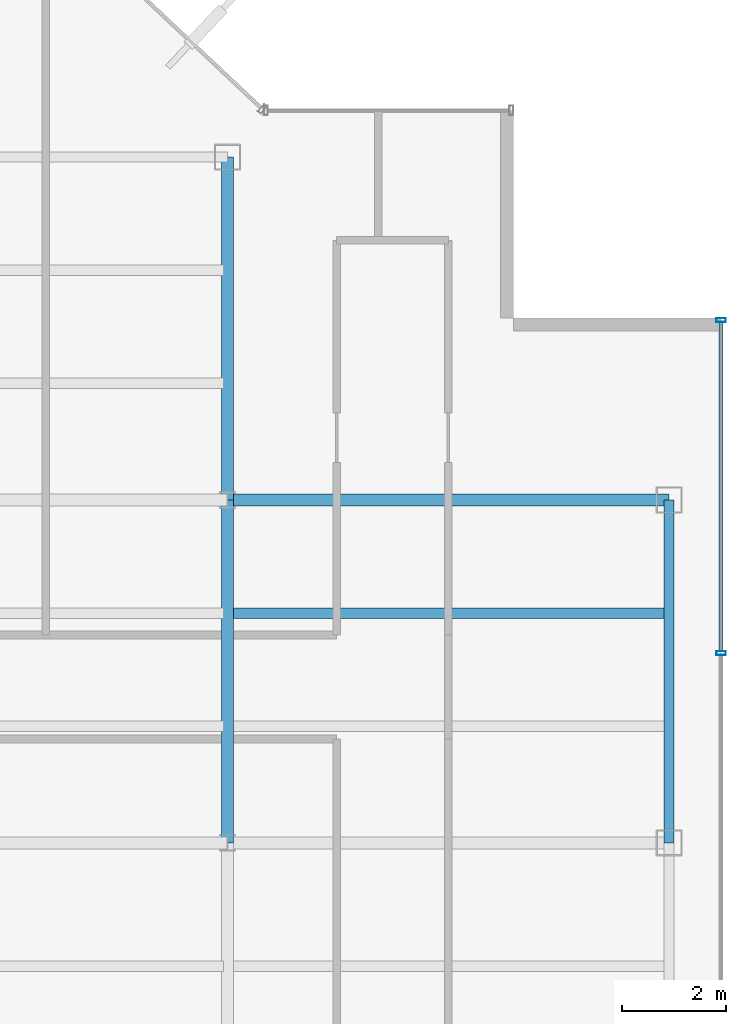
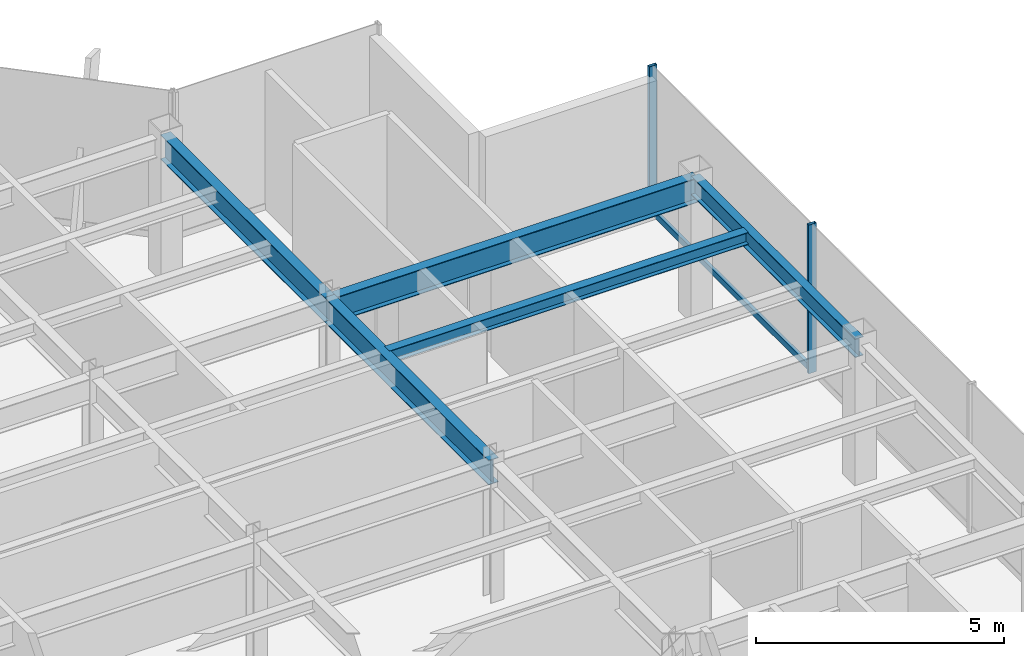
# One storey, part 11 of 22: 5 beams, 3 members, 1 element without a shape of its own.
"""IFC4 building model written with IfcOpenShell, lengths in metres."""

import ifcopenshell
import ifcopenshell.guid

model = None  # the IFC model being written
_history = None  # IfcOwnerHistory: only IFC2X3 demands one
_inside = {}  # id of a spatial element -> (the spatial element, [elements in it])
_under = {}  # id of a project, library or spatial element -> (it, [spatial elements below it])
_declared = {}  # id of a project -> (the project, [libraries it declares])
_typed = {}  # id of a type object -> (the type object, [elements of that type])
_made_of = {}  # id of a material, layer set ... -> (it, [elements and type objects made of it])


def new_model(schema):
    """Start an empty IFC model of exactly this schema.

    Asked for "IFC4X3", IfcOpenShell would pick the latest addendum, in which some entities
    have other attributes; the version numbers below select the first issue.
    IFC2X3 requires an IfcOwnerHistory on every rooted entity: one is made here for all.
    """
    global model, _history
    if schema == "IFC4X3":
        model = ifcopenshell.file(schema_version=(4, 3, 0, 0))
    else:
        model = ifcopenshell.file(schema=schema)
    _inside.clear()
    _under.clear()
    _declared.clear()
    _typed.clear()
    _made_of.clear()
    _history = None
    if model.schema == "IFC2X3":
        org = make("IfcOrganization", Name="unknown")
        user = make(
            "IfcPersonAndOrganization",
            ThePerson=make("IfcPerson", FamilyName="unknown"),
            TheOrganization=org,
        )
        app = make(
            "IfcApplication",
            ApplicationDeveloper=org,
            Version="unknown",
            ApplicationFullName="unknown",
            ApplicationIdentifier="unknown",
        )
        _history = make(
            "IfcOwnerHistory",
            OwningUser=user,
            OwningApplication=app,
            ChangeAction="ADDED",
            CreationDate=0,
        )
    return model


def make(cls, **values):
    """One entity of the class cls with the attributes given. An attribute that is None is left unset."""
    return model.create_entity(
        cls, **{name: value for name, value in values.items() if value is not None}
    )


def rooted(cls, **values):
    """An entity with a GlobalId (a new one), such as an element, a storey or a relation."""
    return make(cls, GlobalId=ifcopenshell.guid.new(), OwnerHistory=_history, **values)


def si_unit(unit_type, name, prefix=None):
    """IfcSIUnit, for example si_unit("LENGTHUNIT", "METRE", prefix="MILLI")."""
    return make("IfcSIUnit", UnitType=unit_type, Prefix=prefix, Name=name)


def derived_unit(unit_type, elements):
    """IfcDerivedUnit: a product of units, each with its exponent."""
    return make(
        "IfcDerivedUnit",
        Elements=[
            make("IfcDerivedUnitElement", Unit=unit, Exponent=power)
            for unit, power in elements
        ],
        UnitType=unit_type,
    )


def assignment(units):
    """IfcUnitAssignment: the units of a project."""
    return None if units is None else make("IfcUnitAssignment", Units=units)


def point(xyz):
    """IfcCartesianPoint."""
    return None if xyz is None else make("IfcCartesianPoint", Coordinates=xyz)


def direction(xyz):
    """IfcDirection."""
    return None if xyz is None else make("IfcDirection", DirectionRatios=xyz)


def frame(location, z_axis=None, x_axis=None):
    """IfcAxis2Placement3D, a coordinate frame: its origin and axes. An axis left out is left unset."""
    return make(
        "IfcAxis2Placement3D",
        Location=point(location),
        Axis=direction(z_axis),
        RefDirection=direction(x_axis),
    )


def frame_2d(location, x_axis=None):
    """IfcAxis2Placement2D, a coordinate frame in the plane: its origin and x axis."""
    return make(
        "IfcAxis2Placement2D", Location=point(location), RefDirection=direction(x_axis)
    )


def origin():
    """The frame at (0, 0, 0) with its axes left unset."""
    return frame((0.0, 0.0, 0.0))


def origin_2d():
    """The frame at (0, 0) in the plane with its x axis left unset."""
    return frame_2d((0.0, 0.0))


def place(relative_to, where):
    """IfcLocalPlacement: puts the frame where relative to a parent placement (None: the world)."""
    return make(
        "IfcLocalPlacement", PlacementRelTo=relative_to, RelativePlacement=where
    )


def context(
    kind, dimensions, precision=None, world=None, true_north=None, identifier=None
):
    """IfcGeometricRepresentationContext, for example the 3D "Model" context."""
    return make(
        "IfcGeometricRepresentationContext",
        ContextIdentifier=identifier,
        ContextType=kind,
        CoordinateSpaceDimension=dimensions,
        Precision=precision,
        WorldCoordinateSystem=world,
        TrueNorth=true_north,
    )


def subcontext(parent, identifier, kind, view, scale=None):
    """IfcGeometricRepresentationSubContext, for example "Body" below "Model"."""
    return make(
        "IfcGeometricRepresentationSubContext",
        ContextIdentifier=identifier,
        ContextType=kind,
        ParentContext=parent,
        TargetScale=scale,
        TargetView=view,
    )


def project(units=None, contexts=None):
    """IfcProject with its units and contexts."""
    return rooted(
        "IfcProject",
        Name="project",
        RepresentationContexts=contexts,
        UnitsInContext=assignment(units),
    )


def spatial(cls, under=None, at=None, **own):
    """A site, building, storey or space (cls), placed at a placement, below another one or the project."""
    s = rooted(cls, ObjectPlacement=at, **own)
    if under is not None:
        _under.setdefault(under.id(), (under, []))[1].append(s)
    return s


def profile(cls, at=None, kind="AREA", **sizes):
    """A parametric profile (cls). Its sizes go by their IFC names, for example OverallWidth=200.0."""
    return make(cls, ProfileType=kind, Position=at, **sizes)


def hollow_rectangle(**sizes):
    """IfcRectangleHollowProfileDef."""
    return profile("IfcRectangleHollowProfileDef", **sizes)


def i_section(**sizes):
    """IfcIShapeProfileDef."""
    return profile("IfcIShapeProfileDef", **sizes)


def extrude(swept, where, along, depth):
    """IfcExtrudedAreaSolid: the profile swept, set in the frame where, extruded along a direction by depth."""
    return make(
        "IfcExtrudedAreaSolid",
        SweptArea=swept,
        Position=where,
        ExtrudedDirection=direction(along),
        Depth=depth,
    )


def shape(context_of_items, identifier, shape_type, items):
    """IfcShapeRepresentation: the items that make up one representation, for example the "Body"."""
    return make(
        "IfcShapeRepresentation",
        ContextOfItems=context_of_items,
        RepresentationIdentifier=identifier,
        RepresentationType=shape_type,
        Items=items,
    )


def source(mapping_origin, context_of_items, identifier, shape_type, items):
    """IfcRepresentationMap: a shape defined once, which mapped items show again and again."""
    return make(
        "IfcRepresentationMap",
        MappingOrigin=mapping_origin,
        MappedRepresentation=shape(context_of_items, identifier, shape_type, items),
    )


def transform(
    local_origin,
    x_axis=None,
    y_axis=None,
    z_axis=None,
    scale=None,
    scale2=None,
    scale3=None,
    uniform=True,
):
    """IfcCartesianTransformationOperator3D, or its non-uniform kind. x_axis, y_axis, z_axis: its Axis1, 2, 3."""
    if uniform:
        return make(
            "IfcCartesianTransformationOperator3D",
            Axis1=direction(x_axis),
            Axis2=direction(y_axis),
            LocalOrigin=point(local_origin),
            Scale=scale,
            Axis3=direction(z_axis),
        )
    return make(
        "IfcCartesianTransformationOperator3DnonUniform",
        Axis1=direction(x_axis),
        Axis2=direction(y_axis),
        LocalOrigin=point(local_origin),
        Scale=scale,
        Axis3=direction(z_axis),
        Scale2=scale2,
        Scale3=scale3,
    )


def mapped(mapping_source, mapping_target):
    """IfcMappedItem: shows the shape of a source again, moved by a transform."""
    return make(
        "IfcMappedItem", MappingSource=mapping_source, MappingTarget=mapping_target
    )


def material(Name=None, Category=None):
    """IfcMaterial."""
    return make("IfcMaterial", Name=Name, Category=Category)


def material_profile(
    of_material, cross_section, Name=None, Category=None, Priority=None
):
    """IfcMaterialProfile: a cross section and its material."""
    return make(
        "IfcMaterialProfile",
        Name=Name,
        Material=of_material,
        Profile=cross_section,
        Priority=Priority,
        Category=Category,
    )


def profile_set(profiles, Name=None, composite=None):
    """IfcMaterialProfileSet."""
    return make(
        "IfcMaterialProfileSet",
        Name=Name,
        MaterialProfiles=profiles,
        CompositeProfile=composite,
    )


def made_of(thing, what):
    """Note that an element or type object is made of a material, layer set ...; save() writes the relation."""
    if what is not None:
        _made_of.setdefault(what.id(), (what, []))[1].append(thing)
    return thing


def type_object(cls, material=None, **own):
    """A type object (cls), such as IfcWallType, which elements share."""
    return made_of(rooted(cls, **own), material)


def element(
    cls,
    number,
    at=None,
    inside=None,
    cuts=None,
    type_object=None,
    material=None,
    context=None,
    identifier="Body",
    shape_type=None,
    held_by="IfcProductDefinitionShape",
    body=None,
    shapes=None,
    **own,
):
    """One element of the class cls, such as IfcWall. Its Tag is "e" and its number.

    at: its placement. inside: the storey or other place that contains it. cuts: it is an
    opening in that element (IfcRelVoidsElement). A single representation is given by context,
    identifier, shape_type and body (its items); several are given by shapes. held_by: the class
    of the entity that holds the representations. save() writes the other relations.
    """
    e = rooted(cls, Tag="e%d" % number, ObjectPlacement=at, **own)
    if body is not None:
        shapes = [shape(context, identifier, shape_type, body)]
    if shapes is not None:
        e.Representation = make(held_by, Representations=shapes)
    if inside is not None:
        _inside.setdefault(inside.id(), (inside, []))[1].append(e)
    if cuts is not None:
        rooted(
            "IfcRelVoidsElement", RelatingBuildingElement=cuts, RelatedOpeningElement=e
        )
    if type_object is not None:
        _typed.setdefault(type_object.id(), (type_object, []))[1].append(e)
    return made_of(e, material)


def aggregate(whole, parts):
    """IfcRelAggregates: a whole, such as a stair, and the parts it consists of."""
    return rooted("IfcRelAggregates", RelatingObject=whole, RelatedObjects=parts)


def save(model, path):
    """Write the relations noted so far, then the file.

    IfcRelAggregates (storeys below a building ...), IfcRelContainedInSpatialStructure (elements
    in a storey), IfcRelDefinesByType, IfcRelAssociatesMaterial and IfcRelDeclares: one each for
    every whole, place, type object, material and project.
    """
    for whole, parts in _under.values():
        aggregate(whole, parts)
    for where, things in _inside.values():
        rooted(
            "IfcRelContainedInSpatialStructure",
            RelatedElements=things,
            RelatingStructure=where,
        )
    for kind, things in _typed.values():
        rooted("IfcRelDefinesByType", RelatedObjects=things, RelatingType=kind)
    for what, things in _made_of.values():
        rooted("IfcRelAssociatesMaterial", RelatedObjects=things, RelatingMaterial=what)
    for by, libraries in _declared.values():
        rooted("IfcRelDeclares", RelatingContext=by, RelatedDefinitions=libraries)
    model.write(path)


model = new_model("IFC4")

# Units and contexts
model_context = context("Model", 3, precision=1e-05, world=origin(), true_north=direction((0.0, 1.0)))
body_context = subcontext(model_context, "Body", "Model", "MODEL_VIEW")
ifc_project = project(units=[si_unit("LENGTHUNIT", "METRE"), si_unit("AREAUNIT", "SQUARE_METRE"), si_unit("VOLUMEUNIT", "CUBIC_METRE"), si_unit("PLANEANGLEUNIT", "RADIAN"), si_unit("MASSUNIT", "GRAM", prefix="KILO"), derived_unit("THERMALTRANSMITTANCEUNIT", [(si_unit("POWERUNIT", "WATT"), 1), (si_unit("LENGTHUNIT", "METRE"), -2), (si_unit("THERMODYNAMICTEMPERATUREUNIT", "KELVIN"), -1)])], contexts=[model_context])

# Site, building, storey
site_placement = place(None, origin())
site = spatial("IfcSite", under=ifc_project, at=site_placement, CompositionType="ELEMENT")
building_placement = place(site_placement, origin())
building = spatial("IfcBuilding", under=site, at=building_placement, Name="Skarnbrae Concourse Arena and Tower", CompositionType="ELEMENT")
storey_placement = place(building_placement, frame((0.0, 0.0, 251.5)))
storey = spatial("IfcBuildingStorey", under=building, at=storey_placement, Name="L65", CompositionType="ELEMENT", Elevation=251.5)

# Beams
ifc_material_1 = material(Name="Steel CSA G40.21 350W", Category="steel")
ifc_material_profile_1 = material_profile(ifc_material_1, i_section(OverallWidth=0.22802734375, OverallDepth=0.60791015625, WebThickness=0.01123046875, FlangeThickness=0.017333984375, at=origin_2d()), Name="W610X113")
ifc_profile_set_1 = profile_set([ifc_material_profile_1], Name="Steel CSA G40.21 350W")
beam_type_1 = type_object("IfcBeamType", Name="BM-GIRD-W610X113", PredefinedType="BEAM", material=ifc_profile_set_1)
shared_shape_1 = source(origin(), body_context, "Body", "SweptSolid", [
    extrude(i_section(OverallWidth=0.22802734375, OverallDepth=0.60791015625, WebThickness=0.01123046875, FlangeThickness=0.017333984375, at=origin_2d()), origin(), (0.0, 0.0, 1.0), 6.60009765625),
])
beam_1_placement = place(storey_placement, frame((33.5, 21.199951171875, 3.095947265625), z_axis=(0.0, 1.0, 0.0), x_axis=(-1.0, 0.0, 0.0)))
element("IfcBeam", 1, at=beam_1_placement, inside=storey, type_object=beam_type_1, Name="L65 Primary N-S girder X33.5-2", PredefinedType="BEAM", context=body_context, shape_type="MappedRepresentation", body=[
    mapped(shared_shape_1, transform((0.0, 0.0, 0.0))),
])
shared_shape_2 = source(origin(), body_context, "Body", "SweptSolid", [
    extrude(i_section(OverallWidth=0.22802734375, OverallDepth=0.60791015625, WebThickness=0.01123046875, FlangeThickness=0.017333984375, at=origin_2d()), origin(), (0.0, 0.0, 1.0), 8.5),
])
beam_2_placement = place(storey_placement, frame((33.5, 27.800048828125, 3.095947265625), z_axis=(1.0, 0.0, 0.0), x_axis=(0.0, 1.0, 0.0)))
element("IfcBeam", 2, at=beam_2_placement, inside=storey, type_object=beam_type_1, Name="L65 Primary E-W girder Y27.8-6", PredefinedType="BEAM", context=body_context, shape_type="MappedRepresentation", body=[
    mapped(shared_shape_2, transform((0.0, 0.0, 0.0))),
])
ifc_material_profile_2 = material_profile(ifc_material_1, i_section(OverallWidth=0.19091796875, OverallDepth=0.4599609375, WebThickness=0.010009765625, FlangeThickness=0.01611328125, at=origin_2d()), Name="W460X82")
ifc_profile_set_2 = profile_set([ifc_material_profile_2], Name="Steel CSA G40.21 350W")
beam_type_2 = type_object("IfcBeamType", Name="BM-SPAN-W460X82", PredefinedType="SPANDREL", material=ifc_profile_set_2)
shared_shape_3 = source(origin(), body_context, "Body", "SweptSolid", [
    extrude(i_section(OverallWidth=0.19091796875, OverallDepth=0.4599609375, WebThickness=0.010009765625, FlangeThickness=0.01611328125, at=origin_2d()), origin(), (0.0, 0.0, 1.0), 6.60009765625),
])
beam_3_placement = place(storey_placement, frame((42.0, 21.199951171875, 3.169921875), z_axis=(0.0, 1.0, 0.0), x_axis=(-1.0, 0.0, 0.0)))
element("IfcBeam", 3, at=beam_3_placement, inside=storey, type_object=beam_type_2, Name="L65 Perimeter spandrel X42.0-3", PredefinedType="SPANDREL", context=body_context, shape_type="MappedRepresentation", body=[
    mapped(shared_shape_3, transform((0.0, 0.0, 0.0))),
])
shared_shape_4 = source(origin(), body_context, "Body", "SweptSolid", [
    extrude(i_section(OverallWidth=0.22802734375, OverallDepth=0.60791015625, WebThickness=0.01123046875, FlangeThickness=0.017333984375, at=origin_2d()), origin(), (0.0, 0.0, 1.0), 6.599853515625),
])
beam_4_placement = place(storey_placement, frame((33.5, 27.800048828125, 3.095947265625), z_axis=(0.0, 1.0, 0.0), x_axis=(-1.0, 0.0, 0.0)))
element("IfcBeam", 4, at=beam_4_placement, inside=storey, type_object=beam_type_1, Name="L65 Primary N-S girder X33.5-3", PredefinedType="BEAM", context=body_context, shape_type="MappedRepresentation", body=[
    mapped(shared_shape_4, transform((0.0, 0.0, 0.0))),
])
ifc_material_profile_3 = material_profile(ifc_material_1, i_section(OverallWidth=0.202880859375, OverallDepth=0.302978515625, WebThickness=0.007568359375, FlangeThickness=0.01318359375, at=origin_2d()), Name="W310X60")
ifc_profile_set_3 = profile_set([ifc_material_profile_3], Name="Steel CSA G40.21 350W")
beam_type_3 = type_object("IfcBeamType", Name="BM-JOIST-W310X60", PredefinedType="JOIST", material=ifc_profile_set_3)
shared_shape_5 = source(origin(), body_context, "Body", "SweptSolid", [
    extrude(i_section(OverallWidth=0.202880859375, OverallDepth=0.302978515625, WebThickness=0.007568359375, FlangeThickness=0.01318359375, at=origin_2d()), origin(), (0.0, 0.0, 1.0), 8.33984375),
])
beam_5_placement = place(storey_placement, frame((33.580078125, 25.6220703125, 3.24853515625), z_axis=(1.0, 0.0, 0.0), x_axis=(0.0, 1.0, 0.0)))
element("IfcBeam", 5, at=beam_5_placement, inside=storey, type_object=beam_type_3, Name="L65 Secondary floor joist 2.2.6", PredefinedType="JOIST", context=body_context, shape_type="MappedRepresentation", body=[
    mapped(shared_shape_5, transform((0.0, 0.0, 0.0))),
])

# Curtain wall, members
ifc_material_2 = material(Name="Bronze anodised aluminium 6063-T6", Category="aluminium")
curtain_wall_type = type_object("IfcCurtainWallType", Name="CW-SYS-05-HIGHZONE", PredefinedType="USERDEFINED", material=ifc_material_2)
curtain_wall_placement = place(storey_placement, origin())
curtain_wall = element("IfcCurtainWall", 6, at=curtain_wall_placement, inside=storey, type_object=curtain_wall_type, Name="L65 Unitised curtain wall CW-L65-E04", ObjectType="UNITISED CURTAIN WALL", PredefinedType="USERDEFINED")
ifc_material_profile_4 = material_profile(ifc_material_2, hollow_rectangle(XDim=0.074951171875, YDim=0.179931640625, WallThickness=0.00390625, at=origin_2d()), Name="ALU-MULL-75X180")
ifc_profile_set_4 = profile_set([ifc_material_profile_4], Name="Bronze anodised aluminium 6063-T6")
member_type_1 = type_object("IfcMemberType", Name="CWM-CW-05", PredefinedType="MULLION", material=ifc_profile_set_4)
shared_shape_6 = source(origin(), body_context, "Body", "SweptSolid", [
    extrude(hollow_rectangle(XDim=0.074951171875, YDim=0.179931640625, WallThickness=0.00390625, at=origin_2d()), origin(), (0.0, 0.0, 1.0), 3.64990234375),
])
member_1_placement = place(storey_placement, frame((43.0, 24.85009765625, 0.0), z_axis=(0.0, 0.0, 1.0), x_axis=(0.0, 1.0, 0.0)))
member_1 = element("IfcMember", 7, at=member_1_placement, type_object=member_type_1, Name="CW-L65-E04 Mullion 4", PredefinedType="MULLION", context=body_context, shape_type="MappedRepresentation", body=[
    mapped(shared_shape_6, transform((0.0, 0.0, 0.0))),
])
member_2_placement = place(storey_placement, frame((43.0, 31.262451171875, 0.0), z_axis=(0.0, 0.0, 1.0), x_axis=(0.0, 1.0, 0.0)))
member_2 = element("IfcMember", 8, at=member_2_placement, type_object=member_type_1, Name="CW-L65-E04 Mullion 5", PredefinedType="MULLION", context=body_context, shape_type="MappedRepresentation", body=[
    mapped(shared_shape_6, transform((0.0, 0.0, 0.0))),
])
ifc_material_profile_5 = material_profile(ifc_material_2, hollow_rectangle(XDim=0.074951171875, YDim=0.14990234375, WallThickness=0.00390625, at=origin_2d()), Name="ALU-TRAN-75X150")
ifc_profile_set_5 = profile_set([ifc_material_profile_5], Name="Bronze anodised aluminium 6063-T6")
member_type_2 = type_object("IfcMemberType", Name="CWT-CW-05", PredefinedType="USERDEFINED", material=ifc_profile_set_5)
shared_shape_7 = source(origin(), body_context, "Body", "SweptSolid", [
    extrude(hollow_rectangle(XDim=0.074951171875, YDim=0.14990234375, WallThickness=0.00390625, at=origin_2d()), origin(), (0.0, 0.0, 1.0), 6.337646484375),
])
member_3_placement = place(storey_placement, frame((43.0, 24.887451171875, 0.074951171875), z_axis=(0.0, 1.0, 0.0), x_axis=(-1.0, 0.0, 0.0)))
member_3 = element("IfcMember", 9, at=member_3_placement, type_object=member_type_2, Name="CW-L65-E04 Transom 4", ObjectType="TRANSOM", PredefinedType="USERDEFINED", context=body_context, shape_type="MappedRepresentation", body=[
    mapped(shared_shape_7, transform((0.0, 0.0, 0.0))),
])
aggregate(curtain_wall, [member_1, member_2, member_3])

save(model, "model.ifc")
